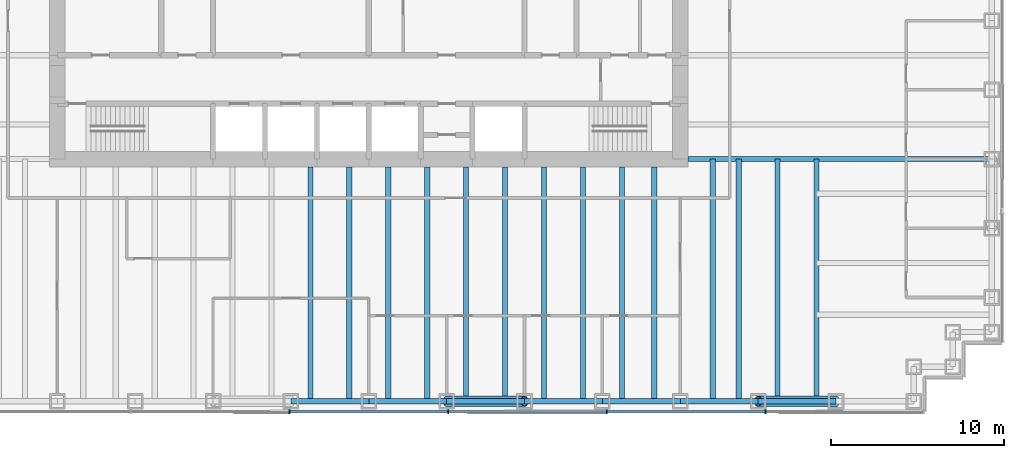
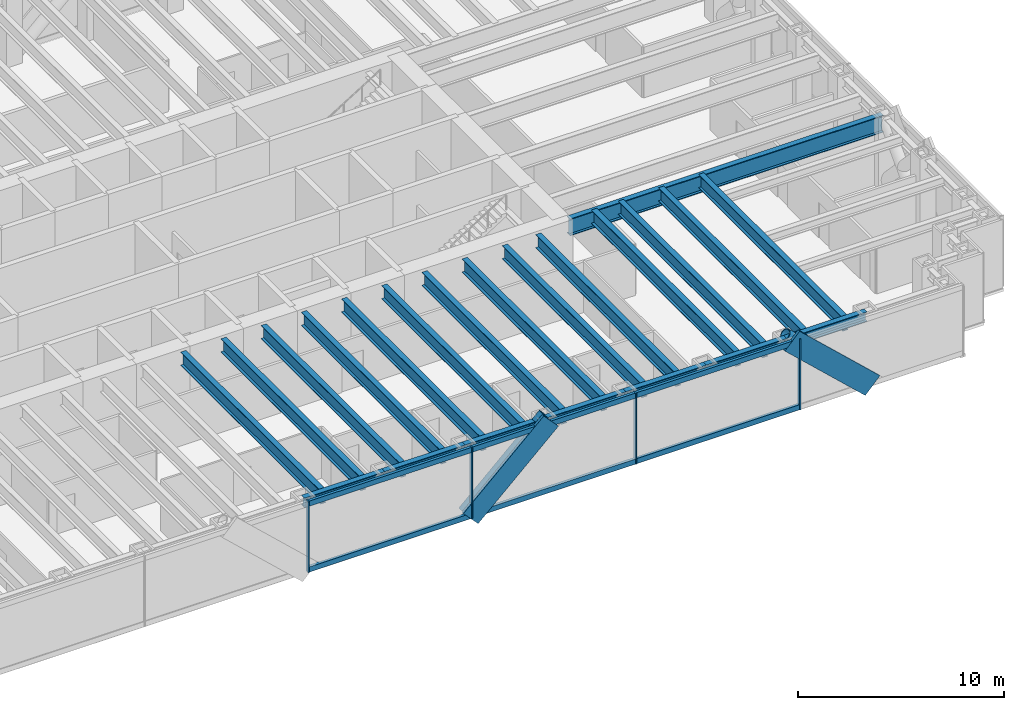
# One storey, part 4 of 17: 22 beams, 14 members, 1 element without a shape of its own.
"""IFC4 building model written with IfcOpenShell, lengths in metres."""

import ifcopenshell
import ifcopenshell.guid

model = None  # the IFC model being written
_history = None  # IfcOwnerHistory: only IFC2X3 demands one
_inside = {}  # id of a spatial element -> (the spatial element, [elements in it])
_under = {}  # id of a project, library or spatial element -> (it, [spatial elements below it])
_declared = {}  # id of a project -> (the project, [libraries it declares])
_typed = {}  # id of a type object -> (the type object, [elements of that type])
_made_of = {}  # id of a material, layer set ... -> (it, [elements and type objects made of it])


def new_model(schema):
    """Start an empty IFC model of exactly this schema.

    Asked for "IFC4X3", IfcOpenShell would pick the latest addendum, in which some entities
    have other attributes; the version numbers below select the first issue.
    IFC2X3 requires an IfcOwnerHistory on every rooted entity: one is made here for all.
    """
    global model, _history
    if schema == "IFC4X3":
        model = ifcopenshell.file(schema_version=(4, 3, 0, 0))
    else:
        model = ifcopenshell.file(schema=schema)
    _inside.clear()
    _under.clear()
    _declared.clear()
    _typed.clear()
    _made_of.clear()
    _history = None
    if model.schema == "IFC2X3":
        org = make("IfcOrganization", Name="unknown")
        user = make(
            "IfcPersonAndOrganization",
            ThePerson=make("IfcPerson", FamilyName="unknown"),
            TheOrganization=org,
        )
        app = make(
            "IfcApplication",
            ApplicationDeveloper=org,
            Version="unknown",
            ApplicationFullName="unknown",
            ApplicationIdentifier="unknown",
        )
        _history = make(
            "IfcOwnerHistory",
            OwningUser=user,
            OwningApplication=app,
            ChangeAction="ADDED",
            CreationDate=0,
        )
    return model


def make(cls, **values):
    """One entity of the class cls with the attributes given. An attribute that is None is left unset."""
    return model.create_entity(
        cls, **{name: value for name, value in values.items() if value is not None}
    )


def rooted(cls, **values):
    """An entity with a GlobalId (a new one), such as an element, a storey or a relation."""
    return make(cls, GlobalId=ifcopenshell.guid.new(), OwnerHistory=_history, **values)


def si_unit(unit_type, name, prefix=None):
    """IfcSIUnit, for example si_unit("LENGTHUNIT", "METRE", prefix="MILLI")."""
    return make("IfcSIUnit", UnitType=unit_type, Prefix=prefix, Name=name)


def assignment(units):
    """IfcUnitAssignment: the units of a project."""
    return None if units is None else make("IfcUnitAssignment", Units=units)


def point(xyz):
    """IfcCartesianPoint."""
    return None if xyz is None else make("IfcCartesianPoint", Coordinates=xyz)


def direction(xyz):
    """IfcDirection."""
    return None if xyz is None else make("IfcDirection", DirectionRatios=xyz)


def frame(location, z_axis=None, x_axis=None):
    """IfcAxis2Placement3D, a coordinate frame: its origin and axes. An axis left out is left unset."""
    return make(
        "IfcAxis2Placement3D",
        Location=point(location),
        Axis=direction(z_axis),
        RefDirection=direction(x_axis),
    )


def frame_2d(location, x_axis=None):
    """IfcAxis2Placement2D, a coordinate frame in the plane: its origin and x axis."""
    return make(
        "IfcAxis2Placement2D", Location=point(location), RefDirection=direction(x_axis)
    )


def origin():
    """The frame at (0, 0, 0) with its axes left unset."""
    return frame((0.0, 0.0, 0.0))


def origin_2d():
    """The frame at (0, 0) in the plane with its x axis left unset."""
    return frame_2d((0.0, 0.0))


def place(relative_to, where):
    """IfcLocalPlacement: puts the frame where relative to a parent placement (None: the world)."""
    return make(
        "IfcLocalPlacement", PlacementRelTo=relative_to, RelativePlacement=where
    )


def context(
    kind, dimensions, precision=None, world=None, true_north=None, identifier=None
):
    """IfcGeometricRepresentationContext, for example the 3D "Model" context."""
    return make(
        "IfcGeometricRepresentationContext",
        ContextIdentifier=identifier,
        ContextType=kind,
        CoordinateSpaceDimension=dimensions,
        Precision=precision,
        WorldCoordinateSystem=world,
        TrueNorth=true_north,
    )


def subcontext(parent, identifier, kind, view, scale=None):
    """IfcGeometricRepresentationSubContext, for example "Body" below "Model"."""
    return make(
        "IfcGeometricRepresentationSubContext",
        ContextIdentifier=identifier,
        ContextType=kind,
        ParentContext=parent,
        TargetScale=scale,
        TargetView=view,
    )


def project(units=None, contexts=None):
    """IfcProject with its units and contexts."""
    return rooted(
        "IfcProject",
        Name="project",
        RepresentationContexts=contexts,
        UnitsInContext=assignment(units),
    )


def spatial(cls, under=None, at=None, **own):
    """A site, building, storey or space (cls), placed at a placement, below another one or the project."""
    s = rooted(cls, ObjectPlacement=at, **own)
    if under is not None:
        _under.setdefault(under.id(), (under, []))[1].append(s)
    return s


def profile(cls, at=None, kind="AREA", **sizes):
    """A parametric profile (cls). Its sizes go by their IFC names, for example OverallWidth=200.0."""
    return make(cls, ProfileType=kind, Position=at, **sizes)


def rectangle(**sizes):
    """IfcRectangleProfileDef."""
    return profile("IfcRectangleProfileDef", **sizes)


def hollow_circle(**sizes):
    """IfcCircleHollowProfileDef."""
    return profile("IfcCircleHollowProfileDef", **sizes)


def i_section(**sizes):
    """IfcIShapeProfileDef."""
    return profile("IfcIShapeProfileDef", **sizes)


def extrude(swept, where, along, depth):
    """IfcExtrudedAreaSolid: the profile swept, set in the frame where, extruded along a direction by depth."""
    return make(
        "IfcExtrudedAreaSolid",
        SweptArea=swept,
        Position=where,
        ExtrudedDirection=direction(along),
        Depth=depth,
    )


def shape(context_of_items, identifier, shape_type, items):
    """IfcShapeRepresentation: the items that make up one representation, for example the "Body"."""
    return make(
        "IfcShapeRepresentation",
        ContextOfItems=context_of_items,
        RepresentationIdentifier=identifier,
        RepresentationType=shape_type,
        Items=items,
    )


def material(Name=None, Category=None):
    """IfcMaterial."""
    return make("IfcMaterial", Name=Name, Category=Category)


def material_profile(
    of_material, cross_section, Name=None, Category=None, Priority=None
):
    """IfcMaterialProfile: a cross section and its material."""
    return make(
        "IfcMaterialProfile",
        Name=Name,
        Material=of_material,
        Profile=cross_section,
        Priority=Priority,
        Category=Category,
    )


def profile_set(profiles, Name=None, composite=None):
    """IfcMaterialProfileSet."""
    return make(
        "IfcMaterialProfileSet",
        Name=Name,
        MaterialProfiles=profiles,
        CompositeProfile=composite,
    )


def made_of(thing, what):
    """Note that an element or type object is made of a material, layer set ...; save() writes the relation."""
    if what is not None:
        _made_of.setdefault(what.id(), (what, []))[1].append(thing)
    return thing


def type_object(cls, material=None, **own):
    """A type object (cls), such as IfcWallType, which elements share."""
    return made_of(rooted(cls, **own), material)


def element(
    cls,
    number,
    at=None,
    inside=None,
    cuts=None,
    type_object=None,
    material=None,
    context=None,
    identifier="Body",
    shape_type=None,
    held_by="IfcProductDefinitionShape",
    body=None,
    shapes=None,
    **own,
):
    """One element of the class cls, such as IfcWall. Its Tag is "e" and its number.

    at: its placement. inside: the storey or other place that contains it. cuts: it is an
    opening in that element (IfcRelVoidsElement). A single representation is given by context,
    identifier, shape_type and body (its items); several are given by shapes. held_by: the class
    of the entity that holds the representations. save() writes the other relations.
    """
    e = rooted(cls, Tag="e%d" % number, ObjectPlacement=at, **own)
    if body is not None:
        shapes = [shape(context, identifier, shape_type, body)]
    if shapes is not None:
        e.Representation = make(held_by, Representations=shapes)
    if inside is not None:
        _inside.setdefault(inside.id(), (inside, []))[1].append(e)
    if cuts is not None:
        rooted(
            "IfcRelVoidsElement", RelatingBuildingElement=cuts, RelatedOpeningElement=e
        )
    if type_object is not None:
        _typed.setdefault(type_object.id(), (type_object, []))[1].append(e)
    return made_of(e, material)


def aggregate(whole, parts):
    """IfcRelAggregates: a whole, such as a stair, and the parts it consists of."""
    return rooted("IfcRelAggregates", RelatingObject=whole, RelatedObjects=parts)


def save(model, path):
    """Write the relations noted so far, then the file.

    IfcRelAggregates (storeys below a building ...), IfcRelContainedInSpatialStructure (elements
    in a storey), IfcRelDefinesByType, IfcRelAssociatesMaterial and IfcRelDeclares: one each for
    every whole, place, type object, material and project.
    """
    for whole, parts in _under.values():
        aggregate(whole, parts)
    for where, things in _inside.values():
        rooted(
            "IfcRelContainedInSpatialStructure",
            RelatedElements=things,
            RelatingStructure=where,
        )
    for kind, things in _typed.values():
        rooted("IfcRelDefinesByType", RelatedObjects=things, RelatingType=kind)
    for what, things in _made_of.values():
        rooted("IfcRelAssociatesMaterial", RelatedObjects=things, RelatingMaterial=what)
    for by, libraries in _declared.values():
        rooted("IfcRelDeclares", RelatingContext=by, RelatedDefinitions=libraries)
    model.write(path)


model = new_model("IFC4")

# Units and contexts
model_context = context("Model", 3, precision=1e-05, world=origin(), true_north=direction((0.0, 1.0)))
body_context = subcontext(model_context, "Body", "Model", "MODEL_VIEW")
ifc_project = project(units=[si_unit("LENGTHUNIT", "METRE"), si_unit("AREAUNIT", "SQUARE_METRE"), si_unit("VOLUMEUNIT", "CUBIC_METRE"), si_unit("PLANEANGLEUNIT", "RADIAN"), si_unit("MASSUNIT", "GRAM", prefix="KILO")], contexts=[model_context])

# Site, building, storey
site_placement = place(None, origin())
site = spatial("IfcSite", under=ifc_project, at=site_placement, CompositionType="ELEMENT")
building_placement = place(site_placement, origin())
building = spatial("IfcBuilding", under=site, at=building_placement, Name="Rheinbord Bourse Tower", CompositionType="ELEMENT")
storey_placement = place(building_placement, frame((0.0, 0.0, 129.89990234375)))
storey = spatial("IfcBuildingStorey", under=building, at=storey_placement, Name="L28", CompositionType="ELEMENT", Elevation=129.89990234375)

# Curtain wall, members
ifc_material_1 = material(Name="Dark glass and black aluminium", Category="aluminium")
curtain_wall_type = type_object("IfcCurtainWallType", Name="CW2 DARK GLASS CURTAIN WALL", PredefinedType="USERDEFINED", material=ifc_material_1)
curtain_wall_placement = place(storey_placement, origin())
curtain_wall = element("IfcCurtainWall", 1, at=curtain_wall_placement, inside=storey, type_object=curtain_wall_type, Name="Curtain wall CW2 S L28", ObjectType="UNITISED CURTAIN WALL", PredefinedType="USERDEFINED")
ifc_material_2 = material(Name="Black anodised aluminium", Category="aluminium")
ifc_material_profile_1 = material_profile(ifc_material_2, rectangle(XDim=0.159912109375, YDim=1.2099609375, at=origin_2d()), Name="CW2 DIAGONAL MULLION 1210x160")
ifc_profile_set_1 = profile_set([ifc_material_profile_1], Name="Black anodised aluminium")
member_type_1 = type_object("IfcMemberType", Name="CW2 BLACK DIAGONAL MULLION", PredefinedType="USERDEFINED", material=ifc_profile_set_1)
member_1_placement = place(storey_placement, frame((63.0, 1.39990234375, 0.0), z_axis=(-0.731039441158, 0.0, 0.682335207557), x_axis=(0.0, -1.0, 0.0)))
member_1 = element("IfcMember", 2, at=member_1_placement, type_object=member_type_1, Name="CW2 diagonal mullion b", ObjectType="DIAGONAL MULLION", PredefinedType="USERDEFINED", context=body_context, shape_type="SweptSolid", body=[
    extrude(rectangle(XDim=0.159912109375, YDim=1.2099609375, at=origin_2d()), origin(), (0.0, 0.0, 1.0), 6.155517578125),
])
member_2_placement = place(storey_placement, frame((40.5, 1.39990234375, 0.0), z_axis=(0.731039441158, 0.0, 0.682335207557), x_axis=(0.0, 1.0, 0.0)))
member_2 = element("IfcMember", 3, at=member_2_placement, type_object=member_type_1, Name="CW2 diagonal mullion c", ObjectType="DIAGONAL MULLION", PredefinedType="USERDEFINED", context=body_context, shape_type="SweptSolid", body=[
    extrude(rectangle(XDim=0.159912109375, YDim=1.2099609375, at=origin_2d()), origin(), (0.0, 0.0, 1.0), 6.155517578125),
])
ifc_material_3 = material(Name="Black anodised aluminium", Category="aluminium")
ifc_material_profile_2 = material_profile(ifc_material_3, rectangle(XDim=0.219970703125, YDim=0.070068359375, at=origin_2d()), Name="CW2 MULLION 70x220")
ifc_profile_set_2 = profile_set([ifc_material_profile_2], Name="Black anodised aluminium")
member_type_2 = type_object("IfcMemberType", Name="CW2 BLACK MULLION", PredefinedType="MULLION", material=ifc_profile_set_2)
member_3_placement = place(storey_placement, frame((31.414306640625, 1.39990234375, 0.0), z_axis=(0.0, 0.0, 1.0), x_axis=(0.0, 1.0, 0.0)))
member_3 = element("IfcMember", 4, at=member_3_placement, type_object=member_type_2, Name="CW2 mullion 4", PredefinedType="MULLION", context=body_context, shape_type="SweptSolid", body=[
    extrude(rectangle(XDim=0.219970703125, YDim=0.070068359375, at=origin_2d()), origin(), (0.0, 0.0, 1.0), 4.2001953125),
])
member_4_placement = place(storey_placement, frame((40.585693359375, 1.39990234375, 0.0), z_axis=(0.0, 0.0, 1.0), x_axis=(0.0, 1.0, 0.0)))
member_4 = element("IfcMember", 5, at=member_4_placement, type_object=member_type_2, Name="CW2 mullion 5", PredefinedType="MULLION", context=body_context, shape_type="SweptSolid", body=[
    extrude(rectangle(XDim=0.219970703125, YDim=0.070068359375, at=origin_2d()), origin(), (0.0, 0.0, 1.0), 4.2001953125),
])
member_5_placement = place(storey_placement, frame((49.757080078125, 1.39990234375, 0.0), z_axis=(0.0, 0.0, 1.0), x_axis=(0.0, 1.0, 0.0)))
member_5 = element("IfcMember", 6, at=member_5_placement, type_object=member_type_2, Name="CW2 mullion 6", PredefinedType="MULLION", context=body_context, shape_type="SweptSolid", body=[
    extrude(rectangle(XDim=0.219970703125, YDim=0.070068359375, at=origin_2d()), origin(), (0.0, 0.0, 1.0), 4.2001953125),
])
member_6_placement = place(storey_placement, frame((58.928466796875, 1.39990234375, 0.0), z_axis=(0.0, 0.0, 1.0), x_axis=(0.0, 1.0, 0.0)))
member_6 = element("IfcMember", 7, at=member_6_placement, type_object=member_type_2, Name="CW2 mullion 7", PredefinedType="MULLION", context=body_context, shape_type="SweptSolid", body=[
    extrude(rectangle(XDim=0.219970703125, YDim=0.070068359375, at=origin_2d()), origin(), (0.0, 0.0, 1.0), 4.2001953125),
])
ifc_material_4 = material(Name="Black anodised aluminium", Category="aluminium")
ifc_material_profile_3 = material_profile(ifc_material_4, rectangle(XDim=0.159912109375, YDim=0.300048828125, at=origin_2d()), Name="CW2 TRANSOM 300x160")
ifc_profile_set_3 = profile_set([ifc_material_profile_3], Name="Black anodised aluminium")
member_type_3 = type_object("IfcMemberType", Name="CW2 BLACK TRANSOM", PredefinedType="USERDEFINED", material=ifc_profile_set_3)
member_7_placement = place(storey_placement, frame((31.44921875, 1.39990234375, 0.150146484375), z_axis=(1.0, 0.0, 0.0), x_axis=(0.0, 1.0, 0.0)))
member_7 = element("IfcMember", 8, at=member_7_placement, type_object=member_type_3, Name="CW2 transom 4.1", ObjectType="TRANSOM", PredefinedType="USERDEFINED", context=body_context, shape_type="SweptSolid", body=[
    extrude(rectangle(XDim=0.159912109375, YDim=0.300048828125, at=origin_2d()), origin(), (0.0, 0.0, 1.0), 9.1015625),
])
member_8_placement = place(storey_placement, frame((31.44921875, 1.39990234375, 4.050048828125), z_axis=(1.0, 0.0, 0.0), x_axis=(0.0, 1.0, 0.0)))
member_8 = element("IfcMember", 9, at=member_8_placement, type_object=member_type_3, Name="CW2 transom 4.2", ObjectType="TRANSOM", PredefinedType="USERDEFINED", context=body_context, shape_type="SweptSolid", body=[
    extrude(rectangle(XDim=0.159912109375, YDim=0.300048828125, at=origin_2d()), origin(), (0.0, 0.0, 1.0), 9.1015625),
])
member_9_placement = place(storey_placement, frame((40.62060546875, 1.39990234375, 0.150146484375), z_axis=(1.0, 0.0, 0.0), x_axis=(0.0, 1.0, 0.0)))
member_9 = element("IfcMember", 10, at=member_9_placement, type_object=member_type_3, Name="CW2 transom 5.1", ObjectType="TRANSOM", PredefinedType="USERDEFINED", context=body_context, shape_type="SweptSolid", body=[
    extrude(rectangle(XDim=0.159912109375, YDim=0.300048828125, at=origin_2d()), origin(), (0.0, 0.0, 1.0), 9.1015625),
])
member_10_placement = place(storey_placement, frame((40.62060546875, 1.39990234375, 4.050048828125), z_axis=(1.0, 0.0, 0.0), x_axis=(0.0, 1.0, 0.0)))
member_10 = element("IfcMember", 11, at=member_10_placement, type_object=member_type_3, Name="CW2 transom 5.2", ObjectType="TRANSOM", PredefinedType="USERDEFINED", context=body_context, shape_type="SweptSolid", body=[
    extrude(rectangle(XDim=0.159912109375, YDim=0.300048828125, at=origin_2d()), origin(), (0.0, 0.0, 1.0), 9.1015625),
])
member_11_placement = place(storey_placement, frame((49.792236328125, 1.39990234375, 0.150146484375), z_axis=(1.0, 0.0, 0.0), x_axis=(0.0, 1.0, 0.0)))
member_11 = element("IfcMember", 12, at=member_11_placement, type_object=member_type_3, Name="CW2 transom 6.1", ObjectType="TRANSOM", PredefinedType="USERDEFINED", context=body_context, shape_type="SweptSolid", body=[
    extrude(rectangle(XDim=0.159912109375, YDim=0.300048828125, at=origin_2d()), origin(), (0.0, 0.0, 1.0), 9.101318359375),
])
member_12_placement = place(storey_placement, frame((49.792236328125, 1.39990234375, 4.050048828125), z_axis=(1.0, 0.0, 0.0), x_axis=(0.0, 1.0, 0.0)))
member_12 = element("IfcMember", 13, at=member_12_placement, type_object=member_type_3, Name="CW2 transom 6.2", ObjectType="TRANSOM", PredefinedType="USERDEFINED", context=body_context, shape_type="SweptSolid", body=[
    extrude(rectangle(XDim=0.159912109375, YDim=0.300048828125, at=origin_2d()), origin(), (0.0, 0.0, 1.0), 9.101318359375),
])
aggregate(curtain_wall, [member_3, member_4, member_5, member_6, member_7, member_8, member_9, member_10, member_11, member_12, member_1, member_2])

# Beams
ifc_material_5 = material(Name="Steel S460", Category="steel")
ifc_material_profile_4 = material_profile(ifc_material_5, i_section(OverallWidth=0.300048828125, OverallDepth=0.800048828125, WebThickness=0.017578125, FlangeThickness=0.032958984375, at=origin_2d()), Name="HEB 800")
ifc_profile_set_4 = profile_set([ifc_material_profile_4], Name="Steel S460")
beam_type_1 = type_object("IfcBeamType", Name="FLOOR BEAM HEB 800", PredefinedType="BEAM", material=ifc_profile_set_4)
for number, where, z_axis, x_axis, name in (
    (14, (32.625, 2.0, 3.64013671875), (0.0, 1.0, 0.0), (-1.0, 0.0, 0.0), "Floor beam S-31.5a L29"),
    (15, (34.875, 2.0, 3.64013671875), (0.0, 1.0, 0.0), (-1.0, 0.0, 0.0), "Floor beam S-31.5b L29"),
    (16, (37.125, 2.0, 3.64013671875), (0.0, 1.0, 0.0), (-1.0, 0.0, 0.0), "Floor beam S-36a L29"),
    (17, (39.375, 2.0, 3.64013671875), (0.0, 1.0, 0.0), (-1.0, 0.0, 0.0), "Floor beam S-36b L29"),
    (18, (41.625, 2.0, 3.64013671875), (0.0, 1.0, 0.0), (-1.0, 0.0, 0.0), "Floor beam S-40.5a L29"),
    (19, (43.875, 2.0, 3.64013671875), (0.0, 1.0, 0.0), (-1.0, 0.0, 0.0), "Floor beam S-40.5b L29"),
    (20, (46.125, 2.0, 3.64013671875), (0.0, 1.0, 0.0), (-1.0, 0.0, 0.0), "Floor beam S-45a L29"),
    (21, (48.375, 2.0, 3.64013671875), (0.0, 1.0, 0.0), (-1.0, 0.0, 0.0), "Floor beam S-45b L29"),
    (22, (50.625, 2.0, 3.64013671875), (0.0, 1.0, 0.0), (-1.0, 0.0, 0.0), "Floor beam S-49.5a L29"),
    (23, (52.5, 2.0, 3.64013671875), (0.0, 1.0, 0.0), (-1.0, 0.0, 0.0), "Floor beam S-49.5b L29"),
):
    element("IfcBeam", number, at=place(storey_placement, frame(where, z_axis=z_axis, x_axis=x_axis)), inside=storey, type_object=beam_type_1, Name=name, PredefinedType="BEAM", context=body_context, shape_type="SweptSolid", body=[
        extrude(i_section(OverallWidth=0.300048828125, OverallDepth=0.800048828125, WebThickness=0.017578125, FlangeThickness=0.032958984375, at=origin_2d()), origin(), (0.0, 0.0, 1.0), 13.550048828125),
    ])
for number, where, z_axis, x_axis, name in (
    (24, (55.875, 2.0, 3.64013671875), (0.0, 1.0, 0.0), (-1.0, 0.0, 0.0), "Floor beam S-54a L29"),
    (25, (57.375, 2.0, 3.64013671875), (0.0, 1.0, 0.0), (-1.0, 0.0, 0.0), "Floor beam S-54b L29"),
    (26, (59.625, 2.0, 3.64013671875), (0.0, 1.0, 0.0), (-1.0, 0.0, 0.0), "Floor beam S-58.5a L29"),
    (27, (61.875, 2.0, 3.64013671875), (0.0, 1.0, 0.0), (-1.0, 0.0, 0.0), "Floor beam S-58.5b L29"),
):
    element("IfcBeam", number, at=place(storey_placement, frame(where, z_axis=z_axis, x_axis=x_axis)), inside=storey, type_object=beam_type_1, Name=name, PredefinedType="BEAM", context=body_context, shape_type="SweptSolid", body=[
        extrude(i_section(OverallWidth=0.300048828125, OverallDepth=0.800048828125, WebThickness=0.017578125, FlangeThickness=0.032958984375, at=origin_2d()), origin(), (0.0, 0.0, 1.0), 14.0),
    ])
ifc_material_6 = material(Name="Steel S460", Category="steel")
ifc_material_profile_5 = material_profile(ifc_material_6, i_section(OverallWidth=0.302001953125, OverallDepth=1.008056640625, WebThickness=0.02099609375, FlangeThickness=0.0400390625, at=origin_2d()), Name="HEM 1000")
ifc_profile_set_5 = profile_set([ifc_material_profile_5], Name="Steel S460")
beam_type_2 = type_object("IfcBeamType", Name="GIRDER HEM 1000", PredefinedType="BEAM", material=ifc_profile_set_5)
beam_placement = place(storey_placement, frame((54.449951171875, 16.0, 3.5361328125), z_axis=(1.0, 0.0, 0.0), x_axis=(0.0, 1.0, 0.0)))
element("IfcBeam", 28, at=beam_placement, inside=storey, type_object=beam_type_2, Name="Girder east 16 L29", PredefinedType="BEAM", context=body_context, shape_type="SweptSolid", body=[
    extrude(i_section(OverallWidth=0.302001953125, OverallDepth=1.008056640625, WebThickness=0.02099609375, FlangeThickness=0.0400390625, at=origin_2d()), origin(), (0.0, 0.0, 1.0), 17.550048828125),
])

# Members
ifc_material_7 = material(Name="Steel S460", Category="steel")
ifc_material_profile_6 = material_profile(ifc_material_7, hollow_circle(Radius=0.304931640625, WallThickness=0.0400390625, at=origin_2d()), Name="CHS 610x40")
ifc_profile_set_6 = profile_set([ifc_material_profile_6], Name="Steel S460")
member_type_4 = type_object("IfcMemberType", Name="MEGABRACE CHS 610x40", PredefinedType="BRACE", material=ifc_profile_set_6)
for number, where, z_axis, x_axis, name in (
    (29, (63.0, 2.0, 0.0), (-0.731039441158, 0.0, 0.682335207557), (0.0, -1.0, 0.0), "Megabrace S face line b L28"),
    (30, (40.5, 2.0, 0.0), (0.731039441158, 0.0, 0.682335207557), (0.0, 1.0, 0.0), "Megabrace S face line c L28"),
):
    element("IfcMember", number, at=place(storey_placement, frame(where, z_axis=z_axis, x_axis=x_axis)), inside=storey, type_object=member_type_4, Name=name, PredefinedType="BRACE", context=body_context, shape_type="SweptSolid", body=[
        extrude(hollow_circle(Radius=0.304931640625, WallThickness=0.0400390625, at=origin_2d()), origin(), (0.0, 0.0, 1.0), 6.155517578125),
    ])

# Beams
ifc_material_8 = material(Name="Steel S460", Category="steel")
ifc_material_profile_7 = material_profile(ifc_material_8, i_section(OverallWidth=0.305908203125, OverallDepth=0.572021484375, WebThickness=0.02099609375, FlangeThickness=0.0400390625, at=origin_2d()), Name="HEM 550")
ifc_profile_set_7 = profile_set([ifc_material_profile_7], Name="Steel S460")
beam_type_3 = type_object("IfcBeamType", Name="SPANDREL HEM 550", PredefinedType="SPANDREL", material=ifc_profile_set_7)
for number, where, z_axis, x_axis, name in (
    (31, (31.5, 2.0, 3.754150390625), (1.0, 0.0, 0.0), (0.0, 1.0, 0.0), "Spandrel S-31.5-S-36 under L29"),
    (32, (36.0, 2.0, 3.754150390625), (1.0, 0.0, 0.0), (0.0, 1.0, 0.0), "Spandrel S-36-S-40.5 under L29"),
    (33, (40.5, 2.0, 3.754150390625), (1.0, 0.0, 0.0), (0.0, 1.0, 0.0), "Spandrel S-40.5-S-45 under L29"),
    (34, (45.0, 2.0, 3.754150390625), (1.0, 0.0, 0.0), (0.0, 1.0, 0.0), "Spandrel S-45-S-49.5 under L29"),
    (35, (49.5, 2.0, 3.754150390625), (1.0, 0.0, 0.0), (0.0, 1.0, 0.0), "Spandrel S-49.5-S-54 under L29"),
    (36, (54.0, 2.0, 3.754150390625), (1.0, 0.0, 0.0), (0.0, 1.0, 0.0), "Spandrel S-54-S-58.5 under L29"),
    (37, (58.5, 2.0, 3.754150390625), (1.0, 0.0, 0.0), (0.0, 1.0, 0.0), "Spandrel S-58.5-S-63 under L29"),
):
    element("IfcBeam", number, at=place(storey_placement, frame(where, z_axis=z_axis, x_axis=x_axis)), inside=storey, type_object=beam_type_3, Name=name, PredefinedType="SPANDREL", context=body_context, shape_type="SweptSolid", body=[
        extrude(i_section(OverallWidth=0.305908203125, OverallDepth=0.572021484375, WebThickness=0.02099609375, FlangeThickness=0.0400390625, at=origin_2d()), origin(), (0.0, 0.0, 1.0), 4.5),
    ])

save(model, "model.ifc")
